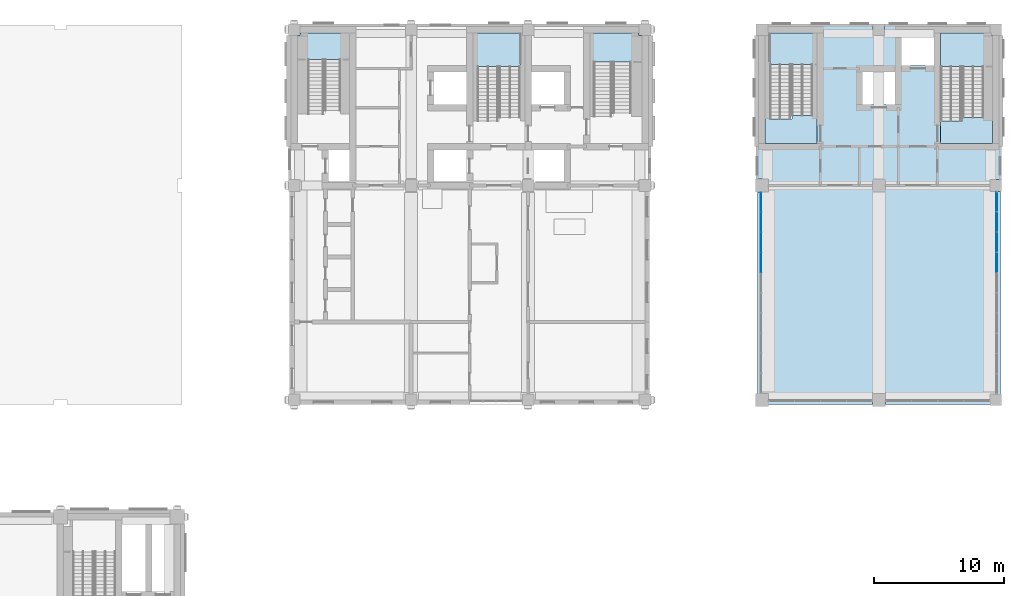
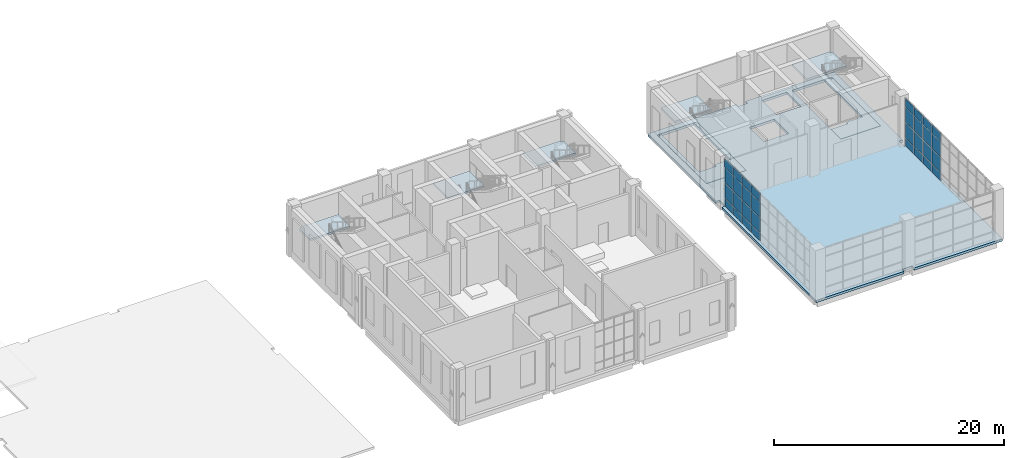
# One storey, part 17 of 33: 32 plates, 8 slabs, 7 elements without a shape of their own.
"""IFC4 building model written with IfcOpenShell, lengths in metres."""

from ifc_helpers import new_model, si_unit, direction, frame, origin, origin_2d, place, context, subcontext, project, spatial, polyline, rectangle, outline, extrude, material, layer, layer_set, type_object, element, aggregate, save


model = new_model("IFC4")

# Units and contexts
model_context = context("Model", 3, precision=1e-05, world=origin(), true_north=direction((0.0, 1.0)))
body_context = subcontext(model_context, "Body", "Model", "MODEL_VIEW")
ifc_project = project(units=[si_unit("LENGTHUNIT", "METRE"), si_unit("AREAUNIT", "SQUARE_METRE"), si_unit("VOLUMEUNIT", "CUBIC_METRE"), si_unit("PLANEANGLEUNIT", "RADIAN"), si_unit("MASSUNIT", "GRAM", prefix="KILO")], contexts=[model_context])

# Site, building, storey
site_placement = place(None, origin())
site = spatial("IfcSite", under=ifc_project, at=site_placement, CompositionType="ELEMENT")
building_placement = place(site_placement, origin())
building = spatial("IfcBuilding", under=site, at=building_placement, Name="Aurelan Courthouse", CompositionType="ELEMENT")
storey_placement = place(building_placement, frame((0.0, 0.0, 22.800048828125)))
storey = spatial("IfcBuildingStorey", under=building, at=storey_placement, Name="L04", CompositionType="ELEMENT", Elevation=22.800048828125)

# Curtain wall, plates
ifc_material_1 = material(Name="Bronze-finished aluminium and glass", Category="aluminium")
ifc_layer_1 = layer(ifc_material_1, 0.14990234375)
ifc_layer_set_1 = layer_set([ifc_layer_1], Name="Bronze-finished aluminium and glass")
curtain_wall_type_1 = type_object("IfcCurtainWallType", Name="Curtain wall 15600 x 5150", PredefinedType="NOTDEFINED", material=ifc_layer_set_1)
curtain_wall_1_placement = place(storey_placement, origin())
curtain_wall_1 = element("IfcCurtainWall", 1, at=curtain_wall_1_placement, inside=storey, type_object=curtain_wall_type_1, Name="Curtain wall CW-V3-L04-E01", PredefinedType="NOTDEFINED")
ifc_material_2 = material(Name="Bronze-finished aluminium", Category="aluminium")
ifc_layer_2 = layer(ifc_material_2, 0.070068359375)
ifc_layer_set_2 = layer_set([ifc_layer_2], Name="Bronze-finished aluminium")
plate_type_1 = type_object("IfcPlateType", Name="Bronze spandrel panel 70", PredefinedType="CURTAIN_PANEL", material=ifc_layer_set_2)
plate_1_placement = place(storey_placement, frame((90.074951171875, 48.090087890625, 4.22998046875), z_axis=(0.0, 0.0, 1.0), x_axis=(0.0, 1.0, 0.0)))
plate_1 = element("IfcPlate", 2, at=plate_1_placement, type_object=plate_type_1, Name="CW-V3-L04-E01 spandrel panel 7.4", PredefinedType="CURTAIN_PANEL", context=body_context, shape_type="SweptSolid", body=[
    extrude(rectangle(XDim=1.5, YDim=0.070068359375, at=origin_2d()), origin(), (0.0, 0.0, 1.0), 0.860107421875),
])
plate_2_placement = place(storey_placement, frame((90.074951171875, 49.64990234375, 4.22998046875), z_axis=(0.0, 0.0, 1.0), x_axis=(0.0, 1.0, 0.0)))
plate_2 = element("IfcPlate", 3, at=plate_2_placement, type_object=plate_type_1, Name="CW-V3-L04-E01 spandrel panel 8.4", PredefinedType="CURTAIN_PANEL", context=body_context, shape_type="SweptSolid", body=[
    extrude(rectangle(XDim=1.5, YDim=0.070068359375, at=origin_2d()), origin(), (0.0, 0.0, 1.0), 0.860107421875),
])
plate_3_placement = place(storey_placement, frame((90.074951171875, 51.2099609375, 4.22998046875), z_axis=(0.0, 0.0, 1.0), x_axis=(0.0, 1.0, 0.0)))
plate_3 = element("IfcPlate", 4, at=plate_3_placement, type_object=plate_type_1, Name="CW-V3-L04-E01 spandrel panel 9.4", PredefinedType="CURTAIN_PANEL", context=body_context, shape_type="SweptSolid", body=[
    extrude(rectangle(XDim=1.5, YDim=0.070068359375, at=origin_2d()), origin(), (0.0, 0.0, 1.0), 0.860107421875),
])
plate_4_placement = place(storey_placement, frame((90.074951171875, 52.7548828125, 4.22998046875), z_axis=(0.0, 0.0, 1.0), x_axis=(0.0, 1.0, 0.0)))
plate_4 = element("IfcPlate", 5, at=plate_4_placement, type_object=plate_type_1, Name="CW-V3-L04-E01 spandrel panel 10.4", PredefinedType="CURTAIN_PANEL", context=body_context, shape_type="SweptSolid", body=[
    extrude(rectangle(XDim=1.469970703125, YDim=0.070068359375, at=origin_2d()), origin(), (0.0, 0.0, 1.0), 0.860107421875),
])

ifc_layer_3 = layer(ifc_material_1, 0.14990234375)
ifc_layer_set_3 = layer_set([ifc_layer_3], Name="Bronze-finished aluminium and glass")
curtain_wall_type_2 = type_object("IfcCurtainWallType", Name="Curtain wall 15500 x 5150", PredefinedType="NOTDEFINED", material=ifc_layer_set_3)
curtain_wall_2_placement = place(storey_placement, origin())
curtain_wall_2 = element("IfcCurtainWall", 6, at=curtain_wall_2_placement, inside=storey, type_object=curtain_wall_type_2, Name="Curtain wall CW-V3-L04-W01", PredefinedType="NOTDEFINED")
plate_5_placement = place(storey_placement, frame((71.925048828125, 48.074951171875, 4.22998046875), z_axis=(0.0, 0.0, 1.0), x_axis=(0.0, 1.0, 0.0)))
plate_5 = element("IfcPlate", 7, at=plate_5_placement, type_object=plate_type_1, Name="CW-V3-L04-W01 spandrel panel 7.4", PredefinedType="CURTAIN_PANEL", context=body_context, shape_type="SweptSolid", body=[
    extrude(rectangle(XDim=1.489990234375, YDim=0.070068359375, at=origin_2d()), origin(), (0.0, 0.0, 1.0), 0.860107421875),
])
plate_6_placement = place(storey_placement, frame((71.925048828125, 49.625, 4.22998046875), z_axis=(0.0, 0.0, 1.0), x_axis=(0.0, 1.0, 0.0)))
plate_6 = element("IfcPlate", 8, at=plate_6_placement, type_object=plate_type_1, Name="CW-V3-L04-W01 spandrel panel 8.4", PredefinedType="CURTAIN_PANEL", context=body_context, shape_type="SweptSolid", body=[
    extrude(rectangle(XDim=1.489990234375, YDim=0.070068359375, at=origin_2d()), origin(), (0.0, 0.0, 1.0), 0.860107421875),
])
plate_7_placement = place(storey_placement, frame((71.925048828125, 51.175048828125, 4.22998046875), z_axis=(0.0, 0.0, 1.0), x_axis=(0.0, 1.0, 0.0)))
plate_7 = element("IfcPlate", 9, at=plate_7_placement, type_object=plate_type_1, Name="CW-V3-L04-W01 spandrel panel 9.4", PredefinedType="CURTAIN_PANEL", context=body_context, shape_type="SweptSolid", body=[
    extrude(rectangle(XDim=1.489990234375, YDim=0.070068359375, at=origin_2d()), origin(), (0.0, 0.0, 1.0), 0.860107421875),
])
plate_8_placement = place(storey_placement, frame((71.925048828125, 52.7099609375, 4.22998046875), z_axis=(0.0, 0.0, 1.0), x_axis=(0.0, 1.0, 0.0)))
plate_8 = element("IfcPlate", 10, at=plate_8_placement, type_object=plate_type_1, Name="CW-V3-L04-W01 spandrel panel 10.4", PredefinedType="CURTAIN_PANEL", context=body_context, shape_type="SweptSolid", body=[
    extrude(rectangle(XDim=1.4599609375, YDim=0.070068359375, at=origin_2d()), origin(), (0.0, 0.0, 1.0), 0.860107421875),
])

# Slab
ifc_material_3 = material(Name="Concrete C40", Category="concrete")
ifc_layer_4 = layer(ifc_material_3, 0.25)
ifc_layer_set_4 = layer_set([ifc_layer_4], Name="Concrete C40")
slab_type_1 = type_object("IfcSlabType", Name="PT floor slab 250", PredefinedType="FLOOR", material=ifc_layer_set_4)
slab_1_placement = place(storey_placement, frame((0.0, 0.0, -0.25)))
element("IfcSlab", 11, at=slab_1_placement, inside=storey, type_object=slab_type_1, Name="Floor slab SL-L04-02", PredefinedType="FLOOR", context=body_context, shape_type="SweptSolid", body=[
    extrude(outline(polyline([(72.0, 53.5), (71.64990234375, 53.5), (71.64990234375, 38.0), (71.64990234375, 37.14990234375), (72.5, 37.14990234375), (80.5, 37.14990234375), (80.5, 37.5), (81.5, 37.5), (81.5, 37.14990234375), (89.550048828125, 37.14990234375), (90.35009765625, 37.14990234375), (90.35009765625, 37.949951171875), (90.35009765625, 53.550048828125), (90.0, 53.550048828125), (90.0, 54.449951171875), (90.35009765625, 54.449951171875), (90.35009765625, 65.550048828125), (90.35009765625, 66.35009765625), (89.550048828125, 66.35009765625), (81.449951171875, 66.35009765625), (81.449951171875, 66.0), (80.550048828125, 66.0), (80.550048828125, 66.35009765625), (72.449951171875, 66.35009765625), (71.64990234375, 66.35009765625), (71.64990234375, 65.550048828125), (71.64990234375, 54.5), (72.0, 54.5), (72.0, 53.5)]), holes=[polyline([(85.75, 57.25), (85.75, 65.75), (89.75, 65.75), (89.75, 57.25), (85.75, 57.25)]), polyline([(82.75, 65.75), (85.25, 65.75), (85.25, 63.25), (82.75, 63.25), (82.75, 65.75)]), polyline([(82.25, 62.75), (82.25, 60.25), (79.75, 60.25), (79.75, 62.75), (82.25, 62.75)]), polyline([(76.25, 57.25), (72.25, 57.25), (72.25, 65.75), (76.25, 65.75), (76.25, 57.25)])]), origin(), (0.0, 0.0, 1.0), 0.25),
])

# Plate
ifc_layer_5 = layer(ifc_material_2, 0.0400390625)
ifc_layer_set_5 = layer_set([ifc_layer_5], Name="Bronze-finished aluminium")
plate_type_2 = type_object("IfcPlateType", Name="Sill panel 40", PredefinedType="CURTAIN_PANEL", material=ifc_layer_set_5)
plate_9_placement = place(storey_placement, frame((90.074951171875, 48.090087890625, 0.059814453125), z_axis=(0.0, 0.0, 1.0), x_axis=(0.0, 1.0, 0.0)))
plate_9 = element("IfcPlate", 12, at=plate_9_placement, type_object=plate_type_2, Name="CW-V3-L04-E01 sill panel 7.1", PredefinedType="CURTAIN_PANEL", context=body_context, shape_type="SweptSolid", body=[
    extrude(rectangle(XDim=1.5, YDim=0.0400390625, at=origin_2d()), origin(), (0.0, 0.0, 1.0), 0.81005859375),
])

plate_10_placement = place(storey_placement, frame((90.074951171875, 49.64990234375, 0.059814453125), z_axis=(0.0, 0.0, 1.0), x_axis=(0.0, 1.0, 0.0)))
plate_10 = element("IfcPlate", 13, at=plate_10_placement, type_object=plate_type_2, Name="CW-V3-L04-E01 sill panel 8.1", PredefinedType="CURTAIN_PANEL", context=body_context, shape_type="SweptSolid", body=[
    extrude(rectangle(XDim=1.5, YDim=0.0400390625, at=origin_2d()), origin(), (0.0, 0.0, 1.0), 0.81005859375),
])

plate_11_placement = place(storey_placement, frame((90.074951171875, 51.2099609375, 0.059814453125), z_axis=(0.0, 0.0, 1.0), x_axis=(0.0, 1.0, 0.0)))
plate_11 = element("IfcPlate", 14, at=plate_11_placement, type_object=plate_type_2, Name="CW-V3-L04-E01 sill panel 9.1", PredefinedType="CURTAIN_PANEL", context=body_context, shape_type="SweptSolid", body=[
    extrude(rectangle(XDim=1.5, YDim=0.0400390625, at=origin_2d()), origin(), (0.0, 0.0, 1.0), 0.81005859375),
])

plate_12_placement = place(storey_placement, frame((90.074951171875, 52.7548828125, 0.059814453125), z_axis=(0.0, 0.0, 1.0), x_axis=(0.0, 1.0, 0.0)))
plate_12 = element("IfcPlate", 15, at=plate_12_placement, type_object=plate_type_2, Name="CW-V3-L04-E01 sill panel 10.1", PredefinedType="CURTAIN_PANEL", context=body_context, shape_type="SweptSolid", body=[
    extrude(rectangle(XDim=1.469970703125, YDim=0.0400390625, at=origin_2d()), origin(), (0.0, 0.0, 1.0), 0.81005859375),
])

plate_13_placement = place(storey_placement, frame((71.925048828125, 48.074951171875, 0.059814453125), z_axis=(0.0, 0.0, 1.0), x_axis=(0.0, 1.0, 0.0)))
plate_13 = element("IfcPlate", 16, at=plate_13_placement, type_object=plate_type_2, Name="CW-V3-L04-W01 sill panel 7.1", PredefinedType="CURTAIN_PANEL", context=body_context, shape_type="SweptSolid", body=[
    extrude(rectangle(XDim=1.489990234375, YDim=0.0400390625, at=origin_2d()), origin(), (0.0, 0.0, 1.0), 0.81005859375),
])

plate_14_placement = place(storey_placement, frame((71.925048828125, 49.625, 0.059814453125), z_axis=(0.0, 0.0, 1.0), x_axis=(0.0, 1.0, 0.0)))
plate_14 = element("IfcPlate", 17, at=plate_14_placement, type_object=plate_type_2, Name="CW-V3-L04-W01 sill panel 8.1", PredefinedType="CURTAIN_PANEL", context=body_context, shape_type="SweptSolid", body=[
    extrude(rectangle(XDim=1.489990234375, YDim=0.0400390625, at=origin_2d()), origin(), (0.0, 0.0, 1.0), 0.81005859375),
])

plate_15_placement = place(storey_placement, frame((71.925048828125, 51.175048828125, 0.059814453125), z_axis=(0.0, 0.0, 1.0), x_axis=(0.0, 1.0, 0.0)))
plate_15 = element("IfcPlate", 18, at=plate_15_placement, type_object=plate_type_2, Name="CW-V3-L04-W01 sill panel 9.1", PredefinedType="CURTAIN_PANEL", context=body_context, shape_type="SweptSolid", body=[
    extrude(rectangle(XDim=1.489990234375, YDim=0.0400390625, at=origin_2d()), origin(), (0.0, 0.0, 1.0), 0.81005859375),
])

plate_16_placement = place(storey_placement, frame((71.925048828125, 52.7099609375, 0.059814453125), z_axis=(0.0, 0.0, 1.0), x_axis=(0.0, 1.0, 0.0)))
plate_16 = element("IfcPlate", 19, at=plate_16_placement, type_object=plate_type_2, Name="CW-V3-L04-W01 sill panel 10.1", PredefinedType="CURTAIN_PANEL", context=body_context, shape_type="SweptSolid", body=[
    extrude(rectangle(XDim=1.4599609375, YDim=0.0400390625, at=origin_2d()), origin(), (0.0, 0.0, 1.0), 0.81005859375),
])

# Stair, slab
ifc_material_4 = material(Name="Concrete C30", Category="concrete")
stair_type_1 = type_object("IfcStairType", Name="Half-turn stair 1600 wide 31 risers", PredefinedType="HALF_TURN_STAIR", material=ifc_material_4)
stair_1_placement = place(storey_placement, origin())
stair_1 = element("IfcStair", 20, at=stair_1_placement, inside=storey, type_object=stair_type_1, Name="Stair ST-3A-L04", PredefinedType="HALF_TURN_STAIR")
ifc_layer_6 = layer(ifc_material_4, 0.25)
ifc_layer_set_6 = layer_set([ifc_layer_6], Name="Concrete C30")
slab_type_2 = type_object("IfcSlabType", Name="Stair floor landing 250 thick", PredefinedType="LANDING", material=ifc_layer_set_6)
slab_2_placement = place(storey_placement, frame((0.0, 0.0, -0.25)))
slab_2 = element("IfcSlab", 21, at=slab_2_placement, type_object=slab_type_2, Name="Stair ST-3A-L04 floor landing", PredefinedType="LANDING", context=body_context, shape_type="SweptSolid", body=[
    extrude(outline(polyline([(72.60009765625, 59.111083984375), (74.300048828125, 59.111083984375), (74.300048828125, 59.39111328125), (75.89990234375, 59.39111328125), (75.89990234375, 65.75), (76.25, 65.75), (76.25, 57.25), (72.25, 57.25), (72.25, 65.550048828125), (72.449951171875, 65.550048828125), (72.449951171875, 65.75), (72.60009765625, 65.75), (72.60009765625, 59.111083984375)])), origin(), (0.0, 0.0, 1.0), 0.25),
])

stair_2_placement = place(storey_placement, origin())
stair_2 = element("IfcStair", 22, at=stair_2_placement, inside=storey, type_object=stair_type_1, Name="Stair ST-3B-L04", PredefinedType="HALF_TURN_STAIR")
slab_3_placement = place(storey_placement, frame((0.0, 0.0, -0.25)))
slab_3 = element("IfcSlab", 23, at=slab_3_placement, type_object=slab_type_2, Name="Stair ST-3B-L04 floor landing", PredefinedType="LANDING", context=body_context, shape_type="SweptSolid", body=[
    extrude(outline(polyline([(89.050048828125, 59.240966796875), (89.050048828125, 65.590087890625), (89.050048828125, 65.60009765625), (89.050048828125, 65.75), (89.550048828125, 65.75), (89.550048828125, 65.550048828125), (89.75, 65.550048828125), (89.75, 57.25), (89.60009765625, 57.25), (89.590087890625, 57.25), (85.75, 57.25), (85.75, 58.9609375), (87.449951171875, 58.9609375), (87.449951171875, 59.240966796875), (89.050048828125, 59.240966796875)])), origin(), (0.0, 0.0, 1.0), 0.25),
])

stair_type_2 = type_object("IfcStairType", Name="Half-turn stair 1200 wide 31 risers", PredefinedType="HALF_TURN_STAIR", material=ifc_material_4)
stair_3_placement = place(storey_placement, origin())
stair_3 = element("IfcStair", 24, at=stair_3_placement, inside=storey, type_object=stair_type_2, Name="Stair CS-2-L04", PredefinedType="HALF_TURN_STAIR")
ifc_layer_7 = layer(ifc_material_4, 0.199951171875)
ifc_layer_set_7 = layer_set([ifc_layer_7], Name="Concrete C30")
slab_type_3 = type_object("IfcSlabType", Name="Stair half landing 200 thick", PredefinedType="LANDING", material=ifc_layer_set_7)
slab_4_placement = place(storey_placement, frame((0.0, 0.0, 2.587158203125)))
slab_4 = element("IfcSlab", 25, at=slab_4_placement, type_object=slab_type_3, Name="Stair CS-2-L04 half landing", PredefinedType="LANDING", context=body_context, shape_type="SweptSolid", body=[
    extrude(outline(polyline([(36.25, 65.550048828125), (36.449951171875, 65.550048828125), (36.449951171875, 65.75), (40.25, 65.75), (40.25, 63.7099609375), (36.25, 63.7099609375), (36.25, 65.550048828125)])), origin(), (0.0, 0.0, 1.0), 0.199951171875),
])
aggregate(stair_3, [slab_4])

stair_4_placement = place(storey_placement, origin())
stair_4 = element("IfcStair", 26, at=stair_4_placement, inside=storey, type_object=stair_type_1, Name="Stair ST-2A-L04", PredefinedType="HALF_TURN_STAIR")
slab_5_placement = place(storey_placement, frame((0.0, 0.0, 2.587158203125)))
slab_5 = element("IfcSlab", 27, at=slab_5_placement, type_object=slab_type_3, Name="Stair ST-2A-L04 half landing", PredefinedType="LANDING", context=body_context, shape_type="SweptSolid", body=[
    extrude(outline(polyline([(49.75, 63.159912109375), (49.75, 65.75), (53.39990234375, 65.75), (53.39990234375, 63.159912109375), (49.75, 63.159912109375)])), origin(), (0.0, 0.0, 1.0), 0.199951171875),
])
aggregate(stair_4, [slab_5])

stair_type_3 = type_object("IfcStairType", Name="Half-turn stair 1400 wide 31 risers", PredefinedType="HALF_TURN_STAIR", material=ifc_material_4)
stair_5_placement = place(storey_placement, origin())
stair_5 = element("IfcStair", 28, at=stair_5_placement, inside=storey, type_object=stair_type_3, Name="Stair ST-2E-L04", PredefinedType="HALF_TURN_STAIR")
slab_6_placement = place(storey_placement, frame((0.0, 0.0, 2.587158203125)))
slab_6 = element("IfcSlab", 29, at=slab_6_placement, type_object=slab_type_3, Name="Stair ST-2E-L04 half landing", PredefinedType="LANDING", context=body_context, shape_type="SweptSolid", body=[
    extrude(outline(polyline([(58.75, 65.75), (62.550048828125, 65.75), (62.550048828125, 65.550048828125), (62.75, 65.550048828125), (62.75, 63.510009765625), (58.75, 63.510009765625), (58.75, 65.75)])), origin(), (0.0, 0.0, 1.0), 0.199951171875),
])
aggregate(stair_5, [slab_6])

# Slab
slab_7_placement = place(storey_placement, frame((0.0, 0.0, 2.587158203125)))
slab_7 = element("IfcSlab", 30, at=slab_7_placement, type_object=slab_type_3, Name="Stair ST-3A-L04 half landing", PredefinedType="LANDING", context=body_context, shape_type="SweptSolid", body=[
    extrude(outline(polyline([(72.60009765625, 65.75), (76.25, 65.75), (76.25, 63.31005859375), (72.60009765625, 63.31005859375), (72.60009765625, 65.75)])), origin(), (0.0, 0.0, 1.0), 0.199951171875),
])

aggregate(stair_1, [slab_7, slab_2])

slab_8_placement = place(storey_placement, frame((0.0, 0.0, 2.587158203125)))
slab_8 = element("IfcSlab", 31, at=slab_8_placement, type_object=slab_type_3, Name="Stair ST-3B-L04 half landing", PredefinedType="LANDING", context=body_context, shape_type="SweptSolid", body=[
    extrude(outline(polyline([(85.75, 63.159912109375), (85.75, 65.75), (89.550048828125, 65.75), (89.550048828125, 65.550048828125), (89.75, 65.550048828125), (89.75, 63.159912109375), (85.75, 63.159912109375)])), origin(), (0.0, 0.0, 1.0), 0.199951171875),
])

aggregate(stair_2, [slab_8, slab_3])

# Plate
ifc_material_5 = material(Name="Laminated low-emissivity glass", Category="glass")
ifc_layer_8 = layer(ifc_material_5, 0.031982421875)
ifc_layer_set_8 = layer_set([ifc_layer_8], Name="Laminated low-emissivity glass")
plate_type_3 = type_object("IfcPlateType", Name="Vision glass panel 32", PredefinedType="CURTAIN_PANEL", material=ifc_layer_set_8)
plate_17_placement = place(storey_placement, frame((90.074951171875, 48.090087890625, 0.9296875), z_axis=(0.0, 0.0, 1.0), x_axis=(0.0, 1.0, 0.0)))
plate_17 = element("IfcPlate", 32, at=plate_17_placement, type_object=plate_type_3, Name="CW-V3-L04-E01 vision panel 7.2", PredefinedType="CURTAIN_PANEL", context=body_context, shape_type="SweptSolid", body=[
    extrude(rectangle(XDim=1.5, YDim=0.031982421875, at=origin_2d()), origin(), (0.0, 0.0, 1.0), 1.590087890625),
])

plate_18_placement = place(storey_placement, frame((90.074951171875, 48.090087890625, 2.580078125), z_axis=(0.0, 0.0, 1.0), x_axis=(0.0, 1.0, 0.0)))
plate_18 = element("IfcPlate", 33, at=plate_18_placement, type_object=plate_type_3, Name="CW-V3-L04-E01 vision panel 7.3", PredefinedType="CURTAIN_PANEL", context=body_context, shape_type="SweptSolid", body=[
    extrude(rectangle(XDim=1.5, YDim=0.031982421875, at=origin_2d()), origin(), (0.0, 0.0, 1.0), 1.590087890625),
])

plate_19_placement = place(storey_placement, frame((90.074951171875, 49.64990234375, 0.9296875), z_axis=(0.0, 0.0, 1.0), x_axis=(0.0, 1.0, 0.0)))
plate_19 = element("IfcPlate", 34, at=plate_19_placement, type_object=plate_type_3, Name="CW-V3-L04-E01 vision panel 8.2", PredefinedType="CURTAIN_PANEL", context=body_context, shape_type="SweptSolid", body=[
    extrude(rectangle(XDim=1.5, YDim=0.031982421875, at=origin_2d()), origin(), (0.0, 0.0, 1.0), 1.590087890625),
])

plate_20_placement = place(storey_placement, frame((90.074951171875, 49.64990234375, 2.580078125), z_axis=(0.0, 0.0, 1.0), x_axis=(0.0, 1.0, 0.0)))
plate_20 = element("IfcPlate", 35, at=plate_20_placement, type_object=plate_type_3, Name="CW-V3-L04-E01 vision panel 8.3", PredefinedType="CURTAIN_PANEL", context=body_context, shape_type="SweptSolid", body=[
    extrude(rectangle(XDim=1.5, YDim=0.031982421875, at=origin_2d()), origin(), (0.0, 0.0, 1.0), 1.590087890625),
])

plate_21_placement = place(storey_placement, frame((90.074951171875, 51.2099609375, 0.9296875), z_axis=(0.0, 0.0, 1.0), x_axis=(0.0, 1.0, 0.0)))
plate_21 = element("IfcPlate", 36, at=plate_21_placement, type_object=plate_type_3, Name="CW-V3-L04-E01 vision panel 9.2", PredefinedType="CURTAIN_PANEL", context=body_context, shape_type="SweptSolid", body=[
    extrude(rectangle(XDim=1.5, YDim=0.031982421875, at=origin_2d()), origin(), (0.0, 0.0, 1.0), 1.590087890625),
])

plate_22_placement = place(storey_placement, frame((90.074951171875, 51.2099609375, 2.580078125), z_axis=(0.0, 0.0, 1.0), x_axis=(0.0, 1.0, 0.0)))
plate_22 = element("IfcPlate", 37, at=plate_22_placement, type_object=plate_type_3, Name="CW-V3-L04-E01 vision panel 9.3", PredefinedType="CURTAIN_PANEL", context=body_context, shape_type="SweptSolid", body=[
    extrude(rectangle(XDim=1.5, YDim=0.031982421875, at=origin_2d()), origin(), (0.0, 0.0, 1.0), 1.590087890625),
])

plate_23_placement = place(storey_placement, frame((90.074951171875, 52.7548828125, 0.9296875), z_axis=(0.0, 0.0, 1.0), x_axis=(0.0, 1.0, 0.0)))
plate_23 = element("IfcPlate", 38, at=plate_23_placement, type_object=plate_type_3, Name="CW-V3-L04-E01 vision panel 10.2", PredefinedType="CURTAIN_PANEL", context=body_context, shape_type="SweptSolid", body=[
    extrude(rectangle(XDim=1.469970703125, YDim=0.031982421875, at=origin_2d()), origin(), (0.0, 0.0, 1.0), 1.590087890625),
])

plate_24_placement = place(storey_placement, frame((90.074951171875, 52.7548828125, 2.580078125), z_axis=(0.0, 0.0, 1.0), x_axis=(0.0, 1.0, 0.0)))
plate_24 = element("IfcPlate", 39, at=plate_24_placement, type_object=plate_type_3, Name="CW-V3-L04-E01 vision panel 10.3", PredefinedType="CURTAIN_PANEL", context=body_context, shape_type="SweptSolid", body=[
    extrude(rectangle(XDim=1.469970703125, YDim=0.031982421875, at=origin_2d()), origin(), (0.0, 0.0, 1.0), 1.590087890625),
])

aggregate(curtain_wall_1, [plate_9, plate_17, plate_18, plate_1, plate_10, plate_19, plate_20, plate_2, plate_11, plate_21, plate_22, plate_3, plate_12, plate_23, plate_24, plate_4])

plate_25_placement = place(storey_placement, frame((71.925048828125, 48.074951171875, 0.9296875), z_axis=(0.0, 0.0, 1.0), x_axis=(0.0, 1.0, 0.0)))
plate_25 = element("IfcPlate", 40, at=plate_25_placement, type_object=plate_type_3, Name="CW-V3-L04-W01 vision panel 7.2", PredefinedType="CURTAIN_PANEL", context=body_context, shape_type="SweptSolid", body=[
    extrude(rectangle(XDim=1.489990234375, YDim=0.031982421875, at=origin_2d()), origin(), (0.0, 0.0, 1.0), 1.590087890625),
])

plate_26_placement = place(storey_placement, frame((71.925048828125, 48.074951171875, 2.580078125), z_axis=(0.0, 0.0, 1.0), x_axis=(0.0, 1.0, 0.0)))
plate_26 = element("IfcPlate", 41, at=plate_26_placement, type_object=plate_type_3, Name="CW-V3-L04-W01 vision panel 7.3", PredefinedType="CURTAIN_PANEL", context=body_context, shape_type="SweptSolid", body=[
    extrude(rectangle(XDim=1.489990234375, YDim=0.031982421875, at=origin_2d()), origin(), (0.0, 0.0, 1.0), 1.590087890625),
])

plate_27_placement = place(storey_placement, frame((71.925048828125, 49.625, 0.9296875), z_axis=(0.0, 0.0, 1.0), x_axis=(0.0, 1.0, 0.0)))
plate_27 = element("IfcPlate", 42, at=plate_27_placement, type_object=plate_type_3, Name="CW-V3-L04-W01 vision panel 8.2", PredefinedType="CURTAIN_PANEL", context=body_context, shape_type="SweptSolid", body=[
    extrude(rectangle(XDim=1.489990234375, YDim=0.031982421875, at=origin_2d()), origin(), (0.0, 0.0, 1.0), 1.590087890625),
])

plate_28_placement = place(storey_placement, frame((71.925048828125, 49.625, 2.580078125), z_axis=(0.0, 0.0, 1.0), x_axis=(0.0, 1.0, 0.0)))
plate_28 = element("IfcPlate", 43, at=plate_28_placement, type_object=plate_type_3, Name="CW-V3-L04-W01 vision panel 8.3", PredefinedType="CURTAIN_PANEL", context=body_context, shape_type="SweptSolid", body=[
    extrude(rectangle(XDim=1.489990234375, YDim=0.031982421875, at=origin_2d()), origin(), (0.0, 0.0, 1.0), 1.590087890625),
])

plate_29_placement = place(storey_placement, frame((71.925048828125, 51.175048828125, 0.9296875), z_axis=(0.0, 0.0, 1.0), x_axis=(0.0, 1.0, 0.0)))
plate_29 = element("IfcPlate", 44, at=plate_29_placement, type_object=plate_type_3, Name="CW-V3-L04-W01 vision panel 9.2", PredefinedType="CURTAIN_PANEL", context=body_context, shape_type="SweptSolid", body=[
    extrude(rectangle(XDim=1.489990234375, YDim=0.031982421875, at=origin_2d()), origin(), (0.0, 0.0, 1.0), 1.590087890625),
])

plate_30_placement = place(storey_placement, frame((71.925048828125, 51.175048828125, 2.580078125), z_axis=(0.0, 0.0, 1.0), x_axis=(0.0, 1.0, 0.0)))
plate_30 = element("IfcPlate", 45, at=plate_30_placement, type_object=plate_type_3, Name="CW-V3-L04-W01 vision panel 9.3", PredefinedType="CURTAIN_PANEL", context=body_context, shape_type="SweptSolid", body=[
    extrude(rectangle(XDim=1.489990234375, YDim=0.031982421875, at=origin_2d()), origin(), (0.0, 0.0, 1.0), 1.590087890625),
])

plate_31_placement = place(storey_placement, frame((71.925048828125, 52.7099609375, 0.9296875), z_axis=(0.0, 0.0, 1.0), x_axis=(0.0, 1.0, 0.0)))
plate_31 = element("IfcPlate", 46, at=plate_31_placement, type_object=plate_type_3, Name="CW-V3-L04-W01 vision panel 10.2", PredefinedType="CURTAIN_PANEL", context=body_context, shape_type="SweptSolid", body=[
    extrude(rectangle(XDim=1.4599609375, YDim=0.031982421875, at=origin_2d()), origin(), (0.0, 0.0, 1.0), 1.590087890625),
])

plate_32_placement = place(storey_placement, frame((71.925048828125, 52.7099609375, 2.580078125), z_axis=(0.0, 0.0, 1.0), x_axis=(0.0, 1.0, 0.0)))
plate_32 = element("IfcPlate", 47, at=plate_32_placement, type_object=plate_type_3, Name="CW-V3-L04-W01 vision panel 10.3", PredefinedType="CURTAIN_PANEL", context=body_context, shape_type="SweptSolid", body=[
    extrude(rectangle(XDim=1.4599609375, YDim=0.031982421875, at=origin_2d()), origin(), (0.0, 0.0, 1.0), 1.590087890625),
])

aggregate(curtain_wall_2, [plate_13, plate_25, plate_26, plate_5, plate_14, plate_27, plate_28, plate_6, plate_15, plate_29, plate_30, plate_7, plate_16, plate_31, plate_32, plate_8])

save(model, "model.ifc")
